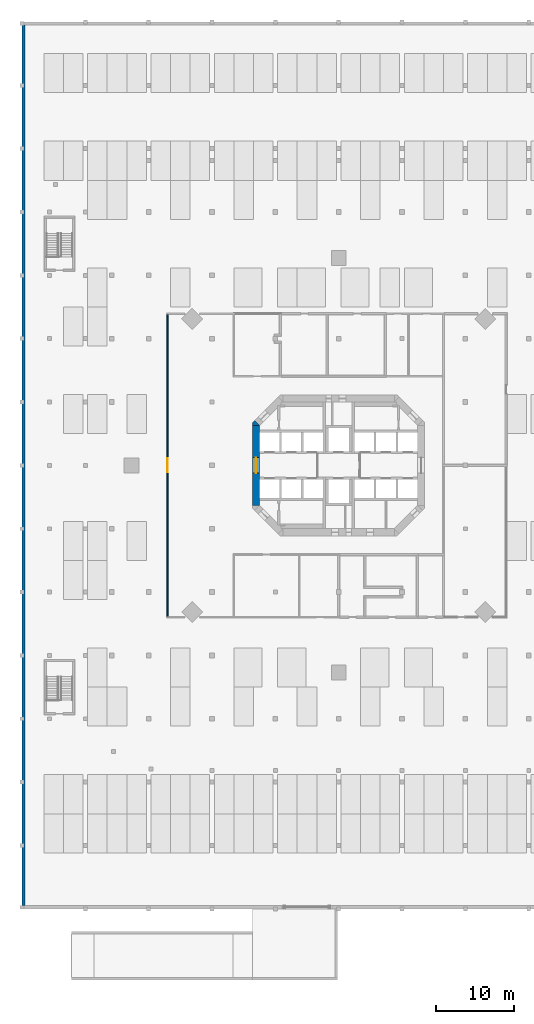
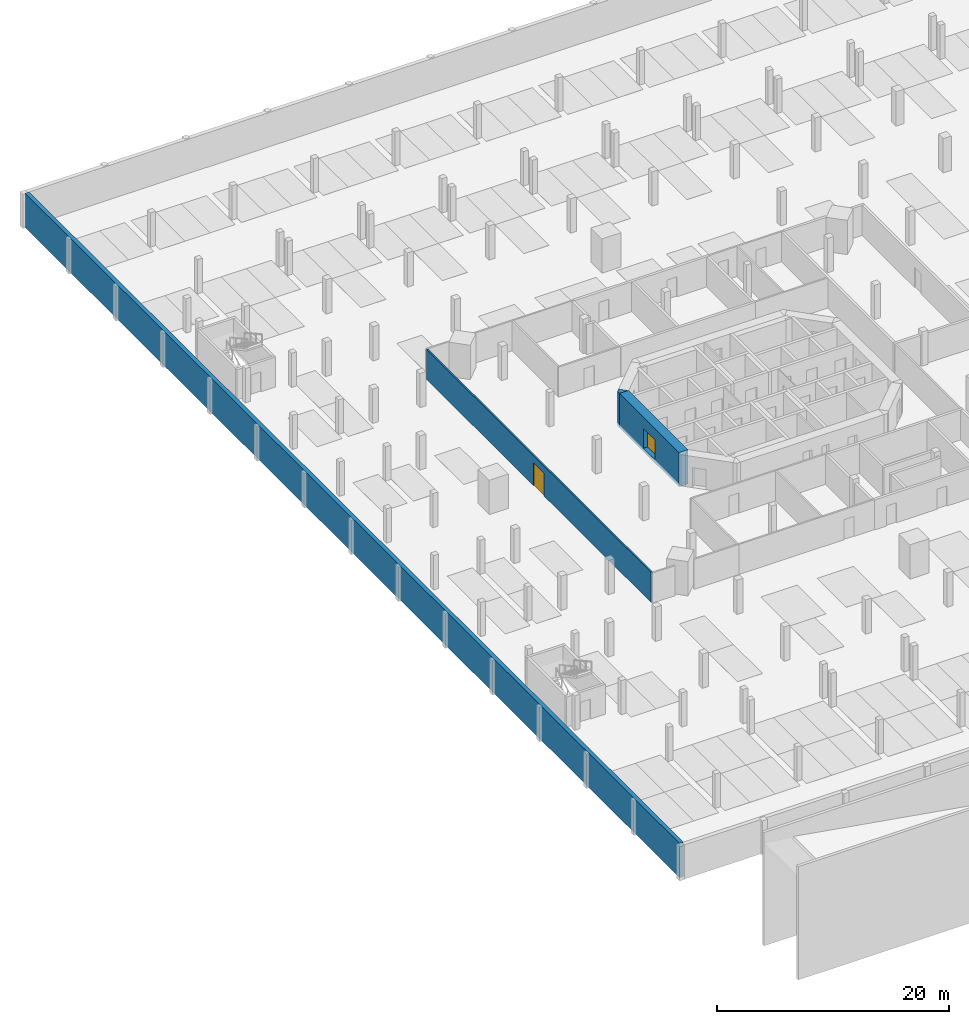
# One storey, part 7 of 14: 4 walls, 2 doors, 2 openings.
"""IFC4 building model written with IfcOpenShell, lengths in metres."""

from ifc_helpers import new_model, si_unit, direction, frame, frame_2d, origin, place, context, subcontext, project, spatial, polyline, rectangle, outline, extrude, material, layer, layer_set, type_object, element, fill, save


model = new_model("IFC4")

# Units and contexts
model_context = context("Model", 3, precision=1e-05, world=origin(), true_north=direction((0.0, 1.0)))
body_context = subcontext(model_context, "Body", "Model", "MODEL_VIEW")
ifc_project = project(units=[si_unit("LENGTHUNIT", "METRE"), si_unit("AREAUNIT", "SQUARE_METRE"), si_unit("VOLUMEUNIT", "CUBIC_METRE"), si_unit("PLANEANGLEUNIT", "RADIAN"), si_unit("MASSUNIT", "GRAM", prefix="KILO")], contexts=[model_context])

# Site, building, storey
site_placement = place(None, origin())
site = spatial("IfcSite", under=ifc_project, at=site_placement, CompositionType="ELEMENT")
building_placement = place(site_placement, origin())
building = spatial("IfcBuilding", under=site, at=building_placement, Name="Torre Triforio", CompositionType="ELEMENT")
storey_placement = place(building_placement, frame((0.0, 0.0, -3.60009765625)))
storey = spatial("IfcBuildingStorey", under=building, at=storey_placement, Name="B1", CompositionType="ELEMENT", Elevation=-3.60009765625)

# Wall, opening, door
ifc_material_1 = material(Name="Concrete C60", Category="concrete")
ifc_layer_1 = layer(ifc_material_1, 0.89990234375)
ifc_layer_set_1 = layer_set([ifc_layer_1], Name="Concrete C60")
wall_type_1 = type_object("IfcWallType", Name="Core wall 900 mm C60 EI 120", PredefinedType="SHEAR", material=ifc_layer_set_1)
wall_1_placement = place(storey_placement, frame((-10.550048828125, -5.1298828125, -0.31982421875), z_axis=(0.0, 0.0, 1.0), x_axis=(0.0, 1.0, 0.0)))
wall_1 = element("IfcWall", 1, at=wall_1_placement, inside=storey, type_object=wall_type_1, Name="Core wall", PredefinedType="SHEAR", context=body_context, shape_type="SweptSolid", body=[
    extrude(rectangle(XDim=10.259765625, YDim=0.89990234375, at=frame_2d((5.1298828125, 0.0))), origin(), (0.0, 0.0, 1.0), 3.599853515625),
])
opening_1_placement = place(wall_1_placement, frame((4.1298828125, 0.0, 0.320068359375)))
opening_1 = element("IfcOpeningElement", 2, at=opening_1_placement, cuts=wall_1, Name="Opening W-RING", PredefinedType="OPENING", context=body_context, shape_type="SweptSolid", body=[
    extrude(rectangle(XDim=2.0, YDim=2.10009765625, at=frame_2d((1.0, 1.050048828125))), frame((0.0, 0.4599609375, 0.0), z_axis=(0.0, -1.0, 0.0), x_axis=(1.0, 0.0, 0.0)), (0.0, 0.0, 1.0), 0.919921875),
])
ifc_material_2 = material(Name="Hollow metal fire door leaf")
door_type_1 = type_object("IfcDoorType", Name="Lobby door 2000 x 2100 EI 60", OperationType="DOUBLE_DOOR_SINGLE_SWING", PredefinedType="DOOR", material=ifc_material_2)
door_1_placement = place(opening_1_placement, origin())
door_1 = element("IfcDoor", 3, at=door_1_placement, inside=storey, type_object=door_type_1, Name="Core door W-RING", OperationType="DOUBLE_DOOR_SINGLE_SWING", OverallHeight=2.10009765625, OverallWidth=2.0, PredefinedType="DOOR", context=body_context, shape_type="SweptSolid", body=[
    extrude(rectangle(XDim=2.0, YDim=2.10009765625, at=frame_2d((1.0, 1.050048828125))), frame((0.0, 0.02490234375, 0.0), z_axis=(0.0, -1.0, 0.0), x_axis=(1.0, 0.0, 0.0)), (0.0, 0.0, 1.0), 0.050048828125),
])
fill(opening_1, door_1)

# Wall
wall_2_placement = place(storey_placement, frame((0.0, 0.0, -0.31982421875)))
element("IfcWall", 4, at=wall_2_placement, inside=storey, type_object=wall_type_1, Name="Core wall", PredefinedType="SHEAR", context=body_context, shape_type="SweptSolid", body=[
    extrude(outline(polyline([(-10.736328125, 5.736328125), (-10.1298828125, 5.1298828125), (-11.0, 5.1298828125), (-11.0, 5.472900390625), (-10.736328125, 5.736328125)])), origin(), (0.0, 0.0, 1.0), 3.599853515625),
])

# Wall, opening, door
ifc_material_3 = material(Name="Plasterboard on metal studs")
ifc_layer_2 = layer(ifc_material_3, 0.14990234375)
ifc_layer_set_2 = layer_set([ifc_layer_2], Name="Plasterboard on metal studs")
wall_type_2 = type_object("IfcWallType", Name="Corridor wall 150 EI 60", PredefinedType="PARTITIONING", material=ifc_layer_set_2)
wall_3_placement = place(storey_placement, frame((-21.89990234375, -19.324951171875, 0.0), z_axis=(0.0, 0.0, 1.0), x_axis=(0.0, 1.0, 0.0)))
wall_3 = element("IfcWall", 5, at=wall_3_placement, inside=storey, type_object=wall_type_2, Name="Corridor wall B1 022", PredefinedType="PARTITIONING", context=body_context, shape_type="SweptSolid", body=[
    extrude(rectangle(XDim=38.64990234375, YDim=0.14990234375, at=frame_2d((19.324951171875, 0.0))), origin(), (0.0, 0.0, 1.0), 3.150146484375),
])
opening_2_placement = place(wall_3_placement, frame((18.449951171875, 0.0, 0.0)))
opening_2 = element("IfcOpeningElement", 6, at=opening_2_placement, cuts=wall_3, Name="Opening BS1-17", PredefinedType="OPENING", context=body_context, shape_type="SweptSolid", body=[
    extrude(rectangle(XDim=1.800048828125, YDim=2.39990234375, at=frame_2d((0.89990234375, 1.199951171875))), frame((0.0, 0.0849609375, 0.0), z_axis=(0.0, -1.0, 0.0), x_axis=(1.0, 0.0, 0.0)), (0.0, 0.0, 1.0), 0.169921875),
])
ifc_material_4 = material(Name="Timber door leaf", Category="wood")
door_type_2 = type_object("IfcDoorType", Name="Double door 1800 x 2400 EI 60", OperationType="NOTDEFINED", PredefinedType="DOOR", material=ifc_material_4)
door_2_placement = place(opening_2_placement, origin())
door_2 = element("IfcDoor", 7, at=door_2_placement, inside=storey, type_object=door_type_2, Name="Door BS1-17", OperationType="SINGLE_SWING_LEFT", OverallHeight=2.39990234375, OverallWidth=1.800048828125, PredefinedType="DOOR", context=body_context, shape_type="SweptSolid", body=[
    extrude(rectangle(XDim=1.800048828125, YDim=2.39990234375, at=frame_2d((0.89990234375, 1.199951171875))), frame((0.0, 0.02490234375, 0.0), z_axis=(0.0, -1.0, 0.0), x_axis=(1.0, 0.0, 0.0)), (0.0, 0.0, 1.0), 0.050048828125),
])
fill(opening_2, door_2)

# Wall
ifc_material_5 = material(Name="Concrete C40", Category="concrete")
ifc_layer_3 = layer(ifc_material_5, 0.39990234375)
ifc_layer_set_3 = layer_set([ifc_layer_3], Name="Concrete C40")
wall_type_3 = type_object("IfcWallType", Name="Retaining wall 400 C40", PredefinedType="SOLIDWALL", material=ifc_layer_set_3)
wall_4_placement = place(storey_placement, frame((-40.300048828125, -56.300048828125, 0.0), z_axis=(0.0, 0.0, 1.0), x_axis=(0.0, 1.0, 0.0)))
element("IfcWall", 8, at=wall_4_placement, inside=storey, type_object=wall_type_3, Name="WL.RET.B1.W", PredefinedType="SOLIDWALL", context=body_context, shape_type="SweptSolid", body=[
    extrude(rectangle(XDim=112.60009765625, YDim=0.39990234375, at=frame_2d((56.300048828125, 0.0))), origin(), (0.0, 0.0, 1.0), 3.60009765625),
])

save(model, "model.ifc")
